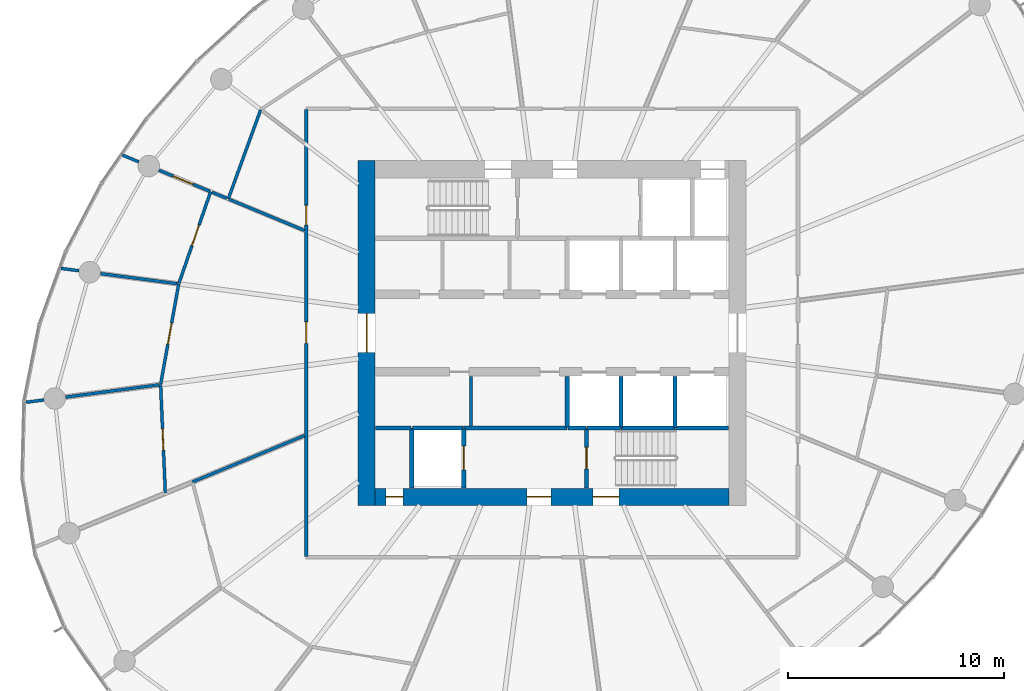
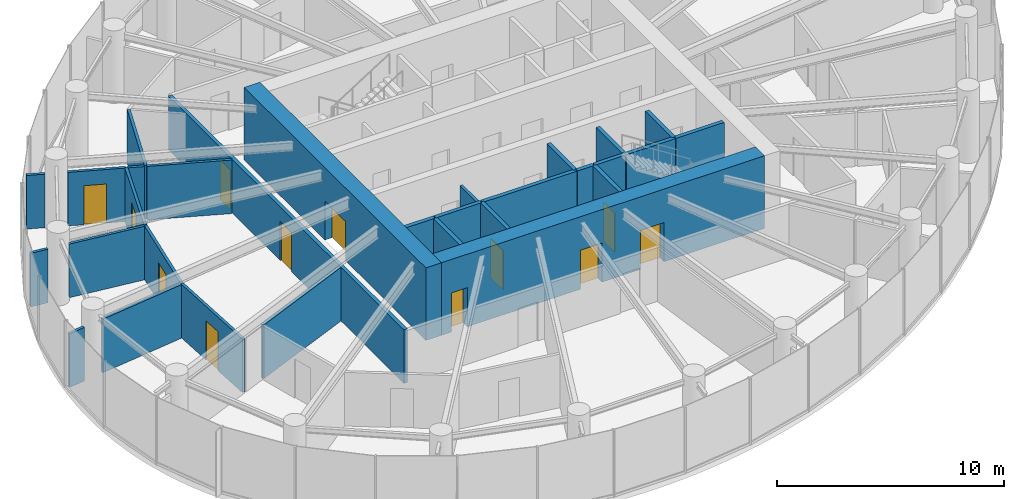
# One storey, part 9 of 15: 30 walls, 12 doors, 12 openings.
"""IFC4 building model written with IfcOpenShell, lengths in metres."""

from ifc_helpers import new_model, si_unit, direction, frame, frame_2d, origin, place, context, subcontext, project, spatial, rectangle, extrude, source, transform, mapped, material, layer, layer_set, type_object, element, fill, save


model = new_model("IFC4")

# Units and contexts
model_context = context("Model", 3, precision=1e-05, world=origin(), true_north=direction((0.0, 1.0)))
body_context = subcontext(model_context, "Body", "Model", "MODEL_VIEW")
ifc_project = project(units=[si_unit("LENGTHUNIT", "METRE"), si_unit("AREAUNIT", "SQUARE_METRE"), si_unit("VOLUMEUNIT", "CUBIC_METRE"), si_unit("PLANEANGLEUNIT", "RADIAN"), si_unit("MASSUNIT", "GRAM", prefix="KILO")], contexts=[model_context])

# Site, building, storey
site_placement = place(None, origin())
site = spatial("IfcSite", under=ifc_project, at=site_placement, CompositionType="ELEMENT")
building_placement = place(site_placement, origin())
building = spatial("IfcBuilding", under=site, at=building_placement, Name="Spindrift Exchange Tower", CompositionType="ELEMENT")
storey_placement = place(building_placement, frame((0.0, 0.0, 172.10009765625)))
storey = spatial("IfcBuildingStorey", under=building, at=storey_placement, Name="L41", CompositionType="ELEMENT", Elevation=172.10009765625)

# Wall, opening, door
ifc_material_1 = material(Name="Concrete 65 MPa", Category="concrete")
ifc_layer_1 = layer(ifc_material_1, 0.800048828125)
ifc_layer_set_1 = layer_set([ifc_layer_1], Name="RC Core Wall 800 Concrete 65 MPa")
wall_type_1 = type_object("IfcWallType", Name="RC Core Wall 800 Concrete 65 MPa", PredefinedType="SHEAR", material=ifc_layer_set_1)
wall_1_placement = place(storey_placement, frame((43.39990234375, 56.0, 0.0), z_axis=(0.0, 0.0, 1.0), x_axis=(0.0, -1.0, 0.0)))
wall_1 = element("IfcWall", 1, at=wall_1_placement, inside=storey, type_object=wall_type_1, Name="Core wall W L41", PredefinedType="SHEAR", context=body_context, shape_type="SweptSolid", body=[
    extrude(rectangle(XDim=16.0, YDim=0.800048828125, at=frame_2d((8.0, 0.0))), origin(), (0.0, 0.0, 1.0), 3.89990234375),
])
opening_1_placement = place(wall_1_placement, frame((7.10009765625, 0.0, 0.0)))
opening_1 = element("IfcOpeningElement", 2, at=opening_1_placement, cuts=wall_1, Name="Opening L41-D1", PredefinedType="OPENING", context=body_context, shape_type="SweptSolid", body=[
    extrude(rectangle(XDim=1.800048828125, YDim=2.10009765625, at=frame_2d((0.89990234375, 1.050048828125))), frame((0.0, 0.409912109375, 0.0), z_axis=(0.0, -1.0, 0.0), x_axis=(1.0, 0.0, 0.0)), (0.0, 0.0, 1.0), 0.820068359375),
])
ifc_material_2 = material(Name="Timber-core fire door", Category="wood")
door_type_1 = type_object("IfcDoorType", Name="DR-LOBBY-1800", OperationType="NOTDEFINED", PredefinedType="DOOR", material=ifc_material_2)
shared_shape_1 = source(origin(), body_context, "Body", "SweptSolid", [
    extrude(rectangle(XDim=1.800048828125, YDim=2.10009765625, at=frame_2d((0.89990234375, 1.050048828125))), frame((0.0, 0.02490234375, 0.0), z_axis=(0.0, -1.0, 0.0), x_axis=(1.0, 0.0, 0.0)), (0.0, 0.0, 1.0), 0.050048828125),
])
door_1_placement = place(opening_1_placement, origin())
door_1 = element("IfcDoor", 3, at=door_1_placement, inside=storey, type_object=door_type_1, Name="L41 Lobby door 1", OperationType="SINGLE_SWING_RIGHT", OverallHeight=2.10009765625, OverallWidth=1.800048828125, PredefinedType="DOOR", context=body_context, shape_type="MappedRepresentation", body=[
    mapped(shared_shape_1, transform((0.0, 0.0, 0.0), scale=1.0)),
])
fill(opening_1, door_1)

# Wall, openings, doors
wall_2_placement = place(storey_placement, frame((43.800048828125, 40.39990234375, 0.0), z_axis=(0.0, 0.0, 1.0), x_axis=(1.0, 0.0, 0.0)))
wall_2 = element("IfcWall", 4, at=wall_2_placement, inside=storey, type_object=wall_type_1, Name="Core wall S L41", PredefinedType="SHEAR", context=body_context, shape_type="SweptSolid", body=[
    extrude(rectangle(XDim=16.39990234375, YDim=0.800048828125, at=frame_2d((8.199951171875, 0.0))), origin(), (0.0, 0.0, 1.0), 3.89990234375),
])
opening_2_placement = place(wall_2_placement, frame((10.10009765625, 0.0, 0.0)))
opening_2 = element("IfcOpeningElement", 5, at=opening_2_placement, cuts=wall_2, Name="Opening L41-D15", PredefinedType="OPENING", context=body_context, shape_type="SweptSolid", body=[
    extrude(rectangle(XDim=1.199951171875, YDim=2.10009765625, at=frame_2d((0.60009765625, 1.050048828125))), frame((0.0, 0.409912109375, 0.0), z_axis=(0.0, -1.0, 0.0), x_axis=(1.0, 0.0, 0.0)), (0.0, 0.0, 1.0), 0.820068359375),
])
opening_3_placement = place(wall_2_placement, frame((7.050048828125, 0.0, 0.0)))
opening_3 = element("IfcOpeningElement", 6, at=opening_3_placement, cuts=wall_2, Name="Opening L41-D17", PredefinedType="OPENING", context=body_context, shape_type="SweptSolid", body=[
    extrude(rectangle(XDim=1.10009765625, YDim=2.10009765625, at=frame_2d((0.550048828125, 1.050048828125))), frame((0.0, 0.409912109375, 0.0), z_axis=(0.0, -1.0, 0.0), x_axis=(1.0, 0.0, 0.0)), (0.0, 0.0, 1.0), 0.820068359375),
])
opening_4_placement = place(wall_2_placement, frame((0.5, 0.0, 0.0)))
opening_4 = element("IfcOpeningElement", 7, at=opening_4_placement, cuts=wall_2, Name="Opening L41-D18", PredefinedType="OPENING", context=body_context, shape_type="SweptSolid", body=[
    extrude(rectangle(XDim=0.800048828125, YDim=2.10009765625, at=frame_2d((0.39990234375, 1.050048828125))), frame((0.0, 0.409912109375, 0.0), z_axis=(0.0, -1.0, 0.0), x_axis=(1.0, 0.0, 0.0)), (0.0, 0.0, 1.0), 0.820068359375),
])
ifc_material_3 = material(Name="Steel fire door", Category="steel")
door_type_2 = type_object("IfcDoorType", Name="DR-STAIR-1200", OperationType="NOTDEFINED", PredefinedType="DOOR", material=ifc_material_3)
shared_shape_2 = source(origin(), body_context, "Body", "SweptSolid", [
    extrude(rectangle(XDim=1.199951171875, YDim=2.10009765625, at=frame_2d((0.60009765625, 1.050048828125))), frame((0.0, 0.02490234375, 0.0), z_axis=(0.0, -1.0, 0.0), x_axis=(1.0, 0.0, 0.0)), (0.0, 0.0, 1.0), 0.050048828125),
])
door_2_placement = place(opening_2_placement, origin())
door_2 = element("IfcDoor", 8, at=door_2_placement, inside=storey, type_object=door_type_2, Name="L41 Stair door 15", OperationType="SINGLE_SWING_LEFT", OverallHeight=2.10009765625, OverallWidth=1.199951171875, PredefinedType="DOOR", context=body_context, shape_type="MappedRepresentation", body=[
    mapped(shared_shape_2, transform((0.0, 0.0, 0.0), scale=1.0)),
])
fill(opening_2, door_2)
door_type_3 = type_object("IfcDoorType", Name="DR-LOBBY-1100", OperationType="NOTDEFINED", PredefinedType="DOOR", material=ifc_material_2)
shared_shape_3 = source(origin(), body_context, "Body", "SweptSolid", [
    extrude(rectangle(XDim=1.10009765625, YDim=2.10009765625, at=frame_2d((0.550048828125, 1.050048828125))), frame((0.0, 0.02490234375, 0.0), z_axis=(0.0, -1.0, 0.0), x_axis=(1.0, 0.0, 0.0)), (0.0, 0.0, 1.0), 0.050048828125),
])
door_3_placement = place(opening_3_placement, origin())
door_3 = element("IfcDoor", 9, at=door_3_placement, inside=storey, type_object=door_type_3, Name="L41 Lobby door 17", OperationType="SINGLE_SWING_LEFT", OverallHeight=2.10009765625, OverallWidth=1.10009765625, PredefinedType="DOOR", context=body_context, shape_type="MappedRepresentation", body=[
    mapped(shared_shape_3, transform((0.0, 0.0, 0.0), scale=1.0)),
])
fill(opening_3, door_3)
ifc_material_4 = material(Name="Steel access door", Category="steel")
door_type_4 = type_object("IfcDoorType", Name="DR-RISER-800", OperationType="NOTDEFINED", PredefinedType="DOOR", material=ifc_material_4)
shared_shape_4 = source(origin(), body_context, "Body", "SweptSolid", [
    extrude(rectangle(XDim=0.800048828125, YDim=2.10009765625, at=frame_2d((0.39990234375, 1.050048828125))), frame((0.0, 0.02490234375, 0.0), z_axis=(0.0, -1.0, 0.0), x_axis=(1.0, 0.0, 0.0)), (0.0, 0.0, 1.0), 0.050048828125),
])
door_4_placement = place(opening_4_placement, origin())
door_4 = element("IfcDoor", 10, at=door_4_placement, inside=storey, type_object=door_type_4, Name="L41 Riser door 18", OperationType="SINGLE_SWING_RIGHT", OverallHeight=2.10009765625, OverallWidth=0.800048828125, PredefinedType="DOOR", context=body_context, shape_type="MappedRepresentation", body=[
    mapped(shared_shape_4, transform((0.0, 0.0, 0.0), scale=1.0)),
])
fill(opening_4, door_4)

ifc_material_5 = material(Name="Fire-rated plasterboard partition", Category="gypsum")
ifc_layer_2 = layer(ifc_material_5, 0.179931640625)
ifc_layer_set_2 = layer_set([ifc_layer_2], Name="W-CORR-180")
wall_type_2 = type_object("IfcWallType", Name="W-CORR-180", PredefinedType="PARTITIONING", material=ifc_layer_set_2)
wall_3_placement = place(storey_placement, frame((40.60009765625, 37.6298828125, 0.0), z_axis=(0.0, 0.0, 1.0), x_axis=(0.0, 1.0, 0.0)))
wall_3 = element("IfcWall", 11, at=wall_3_placement, inside=storey, type_object=wall_type_2, Name="L41 Partition wall 30", PredefinedType="PARTITIONING", context=body_context, shape_type="SweptSolid", body=[
    extrude(rectangle(XDim=20.740234375, YDim=0.179931640625, at=frame_2d((10.3701171875, 0.0))), origin(), (0.0, 0.0, 1.0), 2.8798828125),
])
opening_5_placement = place(wall_3_placement, frame((15.389892578125, 0.0, 0.0)))
opening_5 = element("IfcOpeningElement", 12, at=opening_5_placement, cuts=wall_3, Name="Opening L41-D20", PredefinedType="OPENING", context=body_context, shape_type="SweptSolid", body=[
    extrude(rectangle(XDim=0.89990234375, YDim=2.10009765625, at=frame_2d((0.449951171875, 1.050048828125))), frame((0.0, 0.099853515625, 0.0), z_axis=(0.0, -1.0, 0.0), x_axis=(1.0, 0.0, 0.0)), (0.0, 0.0, 1.0), 0.199951171875),
])
opening_6_placement = place(wall_3_placement, frame((9.889892578125, 0.0, 0.0)))
opening_6 = element("IfcOpeningElement", 13, at=opening_6_placement, cuts=wall_3, Name="Opening L41-D21", PredefinedType="OPENING", context=body_context, shape_type="SweptSolid", body=[
    extrude(rectangle(XDim=1.0, YDim=2.10009765625, at=frame_2d((0.5, 1.050048828125))), frame((0.0, 0.099853515625, 0.0), z_axis=(0.0, -1.0, 0.0), x_axis=(1.0, 0.0, 0.0)), (0.0, 0.0, 1.0), 0.199951171875),
])
door_type_5 = type_object("IfcDoorType", Name="DR-ROOM-1000", OperationType="NOTDEFINED", PredefinedType="DOOR", material=ifc_material_2)
shared_shape_5 = source(origin(), body_context, "Body", "SweptSolid", [
    extrude(rectangle(XDim=1.0, YDim=2.10009765625, at=frame_2d((0.5, 1.050048828125))), frame((0.0, 0.02490234375, 0.0), z_axis=(0.0, -1.0, 0.0), x_axis=(1.0, 0.0, 0.0)), (0.0, 0.0, 1.0), 0.050048828125),
])
door_5_placement = place(opening_6_placement, origin())
door_5 = element("IfcDoor", 14, at=door_5_placement, inside=storey, type_object=door_type_5, Name="L41 Door 21", OperationType="SINGLE_SWING_LEFT", OverallHeight=2.10009765625, OverallWidth=1.0, PredefinedType="DOOR", context=body_context, shape_type="MappedRepresentation", body=[
    mapped(shared_shape_5, transform((0.0, 0.0, 0.0), scale=1.0)),
])
fill(opening_6, door_5)
ifc_material_6 = material(Name="Laminate washroom door", Category="wood")
door_type_6 = type_object("IfcDoorType", Name="DR-WC-900", OperationType="NOTDEFINED", PredefinedType="DOOR", material=ifc_material_6)
shared_shape_6 = source(origin(), body_context, "Body", "SweptSolid", [
    extrude(rectangle(XDim=0.89990234375, YDim=2.10009765625, at=frame_2d((0.449951171875, 1.050048828125))), frame((0.0, 0.02490234375, 0.0), z_axis=(0.0, -1.0, 0.0), x_axis=(1.0, 0.0, 0.0)), (0.0, 0.0, 1.0), 0.050048828125),
])
door_6_placement = place(opening_5_placement, origin())
door_6 = element("IfcDoor", 15, at=door_6_placement, inside=storey, type_object=door_type_6, Name="L41 WC door 20", OperationType="SINGLE_SWING_RIGHT", OverallHeight=2.10009765625, OverallWidth=0.89990234375, PredefinedType="DOOR", context=body_context, shape_type="MappedRepresentation", body=[
    mapped(shared_shape_6, transform((0.0, 0.0, 0.0), scale=1.0)),
])
fill(opening_5, door_6)

# Wall
ifc_layer_3 = layer(ifc_material_5, 0.139892578125)
ifc_layer_set_3 = layer_set([ifc_layer_3], Name="W-PART-140")
wall_type_3 = type_object("IfcWallType", Name="W-PART-140", PredefinedType="PARTITIONING", material=ifc_layer_set_3)
wall_4_placement = place(storey_placement, frame((40.510009765625, 43.24072265625, 0.0), z_axis=(0.0, 0.0, 1.0), x_axis=(-0.923868925848, -0.382709038112, 0.0)))
element("IfcWall", 16, at=wall_4_placement, inside=storey, type_object=wall_type_3, Name="L41 Partition wall 37", PredefinedType="PARTITIONING", context=body_context, shape_type="SweptSolid", body=[
    extrude(rectangle(XDim=5.613037109375, YDim=0.139892578125, at=frame_2d((2.806640625, 0.0))), origin(), (0.0, 0.0, 1.0), 2.8798828125),
])

# Wall, opening, door
wall_5_placement = place(storey_placement, frame((34.06787109375, 40.572265625, 0.0), z_axis=(0.0, 0.0, 1.0), x_axis=(-0.043863726501, 0.999037523568, 0.0)))
wall_5 = element("IfcWall", 17, at=wall_5_placement, inside=storey, type_object=wall_type_3, Name="L41 Partition wall 43", PredefinedType="PARTITIONING", context=body_context, shape_type="SweptSolid", body=[
    extrude(rectangle(XDim=5.042724609375, YDim=0.139892578125, at=frame_2d((2.521484375, 0.0))), origin(), (0.0, 0.0, 1.0), 2.8798828125),
])
opening_7_placement = place(wall_5_placement, frame((1.99267578125, 0.0, 0.0)))
opening_7 = element("IfcOpeningElement", 18, at=opening_7_placement, cuts=wall_5, Name="Opening L41-D24", PredefinedType="OPENING", context=body_context, shape_type="SweptSolid", body=[
    extrude(rectangle(XDim=1.0, YDim=2.10009765625, at=frame_2d((0.5, 1.050048828125))), frame((0.0, 0.079833984375, 0.0), z_axis=(0.0, -1.0, 0.0), x_axis=(1.0, 0.0, 0.0)), (0.0, 0.0, 1.0), 0.159912109375),
])
door_7_placement = place(opening_7_placement, origin())
door_7 = element("IfcDoor", 19, at=door_7_placement, inside=storey, type_object=door_type_5, Name="L41 Door 24", OperationType="SINGLE_SWING_RIGHT", OverallHeight=2.10009765625, OverallWidth=1.0, PredefinedType="DOOR", context=body_context, shape_type="MappedRepresentation", body=[
    mapped(shared_shape_5, transform((0.0, 0.0, 0.0), scale=1.0)),
])
fill(opening_7, door_7)

wall_6_placement = place(storey_placement, frame((33.85205078125, 45.6396484375, 0.0), z_axis=(0.0, 0.0, 1.0), x_axis=(0.177167043884, 0.984180795668, 0.0)))
wall_6 = element("IfcWall", 20, at=wall_6_placement, inside=storey, type_object=wall_type_3, Name="L41 Partition wall 46", PredefinedType="PARTITIONING", context=body_context, shape_type="SweptSolid", body=[
    extrude(rectangle(XDim=4.714111328125, YDim=0.139892578125, at=frame_2d((2.35693359375, 0.0))), origin(), (0.0, 0.0, 1.0), 2.8798828125),
])
opening_8_placement = place(wall_6_placement, frame((1.8642578125, 0.0, 0.0)))
opening_8 = element("IfcOpeningElement", 21, at=opening_8_placement, cuts=wall_6, Name="Opening L41-D23", PredefinedType="OPENING", context=body_context, shape_type="SweptSolid", body=[
    extrude(rectangle(XDim=1.0, YDim=2.10009765625, at=frame_2d((0.5, 1.050048828125))), frame((0.0, 0.079833984375, 0.0), z_axis=(0.0, -1.0, 0.0), x_axis=(1.0, 0.0, 0.0)), (0.0, 0.0, 1.0), 0.159912109375),
])
door_8_placement = place(opening_8_placement, origin())
door_8 = element("IfcDoor", 22, at=door_8_placement, inside=storey, type_object=door_type_5, Name="L41 Door 23", OperationType="SINGLE_SWING_LEFT", OverallHeight=2.10009765625, OverallWidth=1.0, PredefinedType="DOOR", context=body_context, shape_type="MappedRepresentation", body=[
    mapped(shared_shape_5, transform((0.0, 0.0, 0.0), scale=1.0)),
])
fill(opening_8, door_8)

wall_7_placement = place(storey_placement, frame((34.697021484375, 50.3076171875, 0.0), z_axis=(0.0, 0.0, 1.0), x_axis=(0.327118021709, 0.944983491852, 0.0)))
wall_7 = element("IfcWall", 23, at=wall_7_placement, inside=storey, type_object=wall_type_3, Name="L41 Partition wall 49", PredefinedType="PARTITIONING", context=body_context, shape_type="SweptSolid", body=[
    extrude(rectangle(XDim=4.497314453125, YDim=0.139892578125, at=frame_2d((2.24853515625, 0.0))), origin(), (0.0, 0.0, 1.0), 2.8798828125),
])
opening_9_placement = place(wall_7_placement, frame((1.847412109375, 0.0, 0.0)))
opening_9 = element("IfcOpeningElement", 24, at=opening_9_placement, cuts=wall_7, Name="Opening L41-D22", PredefinedType="OPENING", context=body_context, shape_type="SweptSolid", body=[
    extrude(rectangle(XDim=1.0, YDim=2.10009765625, at=frame_2d((0.5, 1.050048828125))), frame((0.0, 0.079833984375, 0.0), z_axis=(0.0, -1.0, 0.0), x_axis=(1.0, 0.0, 0.0)), (0.0, 0.0, 1.0), 0.159912109375),
])
door_9_placement = place(opening_9_placement, origin())
door_9 = element("IfcDoor", 25, at=door_9_placement, inside=storey, type_object=door_type_5, Name="L41 Door 22", OperationType="SINGLE_SWING_RIGHT", OverallHeight=2.10009765625, OverallWidth=1.0, PredefinedType="DOOR", context=body_context, shape_type="MappedRepresentation", body=[
    mapped(shared_shape_5, transform((0.0, 0.0, 0.0), scale=1.0)),
])
fill(opening_9, door_9)

# Walls
wall_8_placement = place(storey_placement, frame((33.777099609375, 45.600830078125, 0.0), z_axis=(0.0, 0.0, 1.0), x_axis=(-0.991451067431, -0.130479043871, 0.0)))
element("IfcWall", 26, at=wall_8_placement, inside=storey, type_object=wall_type_3, Name="L41 Partition wall 53", PredefinedType="PARTITIONING", context=body_context, shape_type="SweptSolid", body=[
    extrude(rectangle(XDim=4.37646484375, YDim=0.139892578125, at=frame_2d((2.188232421875, 0.0))), origin(), (0.0, 0.0, 1.0), 2.8798828125),
])
wall_9_placement = place(storey_placement, frame((38.482177734375, 58.336669921875, 0.0), z_axis=(0.0, 0.0, 1.0), x_axis=(-0.341774383975, -0.939782033484, 0.0)))
element("IfcWall", 27, at=wall_9_placement, inside=storey, type_object=wall_type_3, Name="L41 Partition wall 55", PredefinedType="PARTITIONING", context=body_context, shape_type="SweptSolid", body=[
    extrude(rectangle(XDim=4.381103515625, YDim=0.139892578125, at=frame_2d((2.1904296875, 0.0))), origin(), (0.0, 0.0, 1.0), 2.8798828125),
])
wall_10_placement = place(storey_placement, frame((40.510009765625, 52.75927734375, 0.0), z_axis=(0.0, 0.0, 1.0), x_axis=(-0.923870623115, 0.382704940842, 0.0)))
element("IfcWall", 28, at=wall_10_placement, inside=storey, type_object=wall_type_3, Name="L41 Partition wall 64", PredefinedType="PARTITIONING", context=body_context, shape_type="SweptSolid", body=[
    extrude(rectangle(XDim=3.785400390625, YDim=0.139892578125, at=frame_2d((1.892578125, 0.0))), origin(), (0.0, 0.0, 1.0), 2.8798828125),
])
wall_11_placement = place(storey_placement, frame((34.617919921875, 50.288330078125, 0.0), z_axis=(0.0, 0.0, 1.0), x_axis=(-0.991445727945, 0.130519609791, 0.0)))
element("IfcWall", 29, at=wall_11_placement, inside=storey, type_object=wall_type_3, Name="L41 Partition wall 66", PredefinedType="PARTITIONING", context=body_context, shape_type="SweptSolid", body=[
    extrude(rectangle(XDim=3.589599609375, YDim=0.139892578125, at=frame_2d((1.794921875, 0.0))), origin(), (0.0, 0.0, 1.0), 2.8798828125),
])

# Wall, opening, door
wall_12_placement = place(storey_placement, frame((33.767333984375, 55.55224609375, 0.0), z_axis=(0.0, 0.0, 1.0), x_axis=(0.923865084747, -0.38271831049, 0.0)))
wall_12 = element("IfcWall", 30, at=wall_12_placement, inside=storey, type_object=wall_type_3, Name="L41 Partition wall 72", PredefinedType="PARTITIONING", context=body_context, shape_type="SweptSolid", body=[
    extrude(rectangle(XDim=2.56884765625, YDim=0.139892578125, at=frame_2d((1.284423828125, 0.0))), origin(), (0.0, 0.0, 1.0), 2.8798828125),
])
opening_10_placement = place(wall_12_placement, frame((0.718994140625, 0.0, 0.0)))
opening_10 = element("IfcOpeningElement", 31, at=opening_10_placement, cuts=wall_12, Name="Opening L41-D25", PredefinedType="OPENING", context=body_context, shape_type="SweptSolid", body=[
    extrude(rectangle(XDim=1.0, YDim=2.10009765625, at=frame_2d((0.5, 1.050048828125))), frame((0.0, 0.079833984375, 0.0), z_axis=(0.0, -1.0, 0.0), x_axis=(1.0, 0.0, 0.0)), (0.0, 0.0, 1.0), 0.159912109375),
])
door_10_placement = place(opening_10_placement, origin())
door_10 = element("IfcDoor", 32, at=door_10_placement, inside=storey, type_object=door_type_5, Name="L41 Door 25", OperationType="SINGLE_SWING_LEFT", OverallHeight=2.10009765625, OverallWidth=1.0, PredefinedType="DOOR", context=body_context, shape_type="MappedRepresentation", body=[
    mapped(shared_shape_5, transform((0.0, 0.0, 0.0), scale=1.0)),
])
fill(opening_10, door_10)

# Walls
wall_13_placement = place(storey_placement, frame((48.25, 43.699951171875, 0.0), z_axis=(0.0, 0.0, 1.0), x_axis=(0.0, 1.0, 0.0)))
element("IfcWall", 33, at=wall_13_placement, inside=storey, type_object=wall_type_3, Name="L41 Partition wall 74", PredefinedType="PARTITIONING", context=body_context, shape_type="SweptSolid", body=[
    extrude(rectangle(XDim=2.2900390625, YDim=0.139892578125, at=frame_2d((1.14501953125, 0.0))), origin(), (0.0, 0.0, 1.0), 2.8798828125),
])
wall_14_placement = place(storey_placement, frame((36.920166015625, 54.246337890625, 0.0), z_axis=(0.0, 0.0, 1.0), x_axis=(-0.923832744819, 0.382796368322, 0.0)))
element("IfcWall", 34, at=wall_14_placement, inside=storey, type_object=wall_type_3, Name="L41 Partition wall 88", PredefinedType="PARTITIONING", context=body_context, shape_type="SweptSolid", body=[
    extrude(rectangle(XDim=0.74365234375, YDim=0.139892578125, at=frame_2d((0.371826171875, 0.0))), origin(), (0.0, 0.0, 1.0), 2.8798828125),
])
wall_15_placement = place(storey_placement, frame((30.058837890625, 50.888671875, 0.0), z_axis=(0.0, 0.0, 1.0), x_axis=(-0.991453302112, 0.130462062421, 0.0)))
element("IfcWall", 35, at=wall_15_placement, inside=storey, type_object=wall_type_3, Name="L41 Partition wall 92", PredefinedType="PARTITIONING", context=body_context, shape_type="SweptSolid", body=[
    extrude(rectangle(XDim=0.83642578125, YDim=0.139892578125, at=frame_2d((0.418212890625, 0.0))), origin(), (0.0, 0.0, 1.0), 2.8798828125),
])
wall_16_placement = place(storey_placement, frame((28.43798828125, 44.89794921875, 0.0), z_axis=(0.0, 0.0, 1.0), x_axis=(-0.991444308748, -0.130530389761, 0.0)))
element("IfcWall", 36, at=wall_16_placement, inside=storey, type_object=wall_type_3, Name="L41 Partition wall 95", PredefinedType="PARTITIONING", context=body_context, shape_type="SweptSolid", body=[
    extrude(rectangle(XDim=0.832275390625, YDim=0.139892578125, at=frame_2d((0.416015625, 0.0))), origin(), (0.0, 0.0, 1.0), 2.8798828125),
])
wall_17_placement = place(storey_placement, frame((32.833984375, 55.938720703125, 0.0), z_axis=(0.0, 0.0, 1.0), x_axis=(-0.923798714545, 0.382878485951, 0.0)))
element("IfcWall", 37, at=wall_17_placement, inside=storey, type_object=wall_type_3, Name="L41 Partition wall 97", PredefinedType="PARTITIONING", context=body_context, shape_type="SweptSolid", body=[
    extrude(rectangle(XDim=0.81884765625, YDim=0.139892578125, at=frame_2d((0.409423828125, 0.0))), origin(), (0.0, 0.0, 1.0), 2.8798828125),
])
ifc_material_7 = material(Name="Concrete 40 MPa", Category="concrete")
ifc_layer_4 = layer(ifc_material_7, 0.199951171875)
ifc_layer_set_4 = layer_set([ifc_layer_4], Name="W-SHAFT-200")
wall_type_4 = type_object("IfcWallType", Name="W-SHAFT-200", PredefinedType="SOLIDWALL", material=ifc_layer_set_4)
wall_18_placement = place(storey_placement, frame((52.699951171875, 43.60009765625, 0.0), z_axis=(0.0, 0.0, 1.0), x_axis=(-1.0, 0.0, 0.0)))
element("IfcWall", 38, at=wall_18_placement, inside=storey, type_object=wall_type_4, Name="L41 Shaft wall 2", PredefinedType="SOLIDWALL", context=body_context, shape_type="SweptSolid", body=[
    extrude(rectangle(XDim=4.800048828125, YDim=0.199951171875, at=frame_2d((2.39990234375, 0.0))), origin(), (0.0, 0.0, 1.0), 3.579833984375),
])
wall_19_placement = place(storey_placement, frame((45.5, 43.60009765625, 0.0), z_axis=(0.0, 0.0, 1.0), x_axis=(0.0, -1.0, 0.0)))
element("IfcWall", 39, at=wall_19_placement, inside=storey, type_object=wall_type_4, Name="L41 Shaft wall 3", PredefinedType="SOLIDWALL", context=body_context, shape_type="SweptSolid", body=[
    extrude(rectangle(XDim=2.780029296875, YDim=0.199951171875, at=frame_2d((1.39013671875, 0.0))), origin(), (0.0, 0.0, 1.0), 3.579833984375),
])

# Wall, opening, door
wall_20_placement = place(storey_placement, frame((47.89990234375, 40.820068359375, 0.0), z_axis=(0.0, 0.0, 1.0), x_axis=(0.0, 1.0, 0.0)))
wall_20 = element("IfcWall", 40, at=wall_20_placement, inside=storey, type_object=wall_type_4, Name="L41 Shaft wall 4", PredefinedType="SOLIDWALL", context=body_context, shape_type="SweptSolid", body=[
    extrude(rectangle(XDim=2.75, YDim=0.199951171875, at=frame_2d((1.375, 0.0))), origin(), (0.0, 0.0, 1.0), 3.579833984375),
])
opening_11_placement = place(wall_20_placement, frame((0.830078125, 0.0, 0.0)))
opening_11 = element("IfcOpeningElement", 41, at=opening_11_placement, cuts=wall_20, Name="Opening L41-D10", PredefinedType="OPENING", context=body_context, shape_type="SweptSolid", body=[
    extrude(rectangle(XDim=1.10009765625, YDim=2.10009765625, at=frame_2d((0.550048828125, 1.050048828125))), frame((0.0, 0.10986328125, 0.0), z_axis=(0.0, -1.0, 0.0), x_axis=(1.0, 0.0, 0.0)), (0.0, 0.0, 1.0), 0.219970703125),
])
ifc_material_8 = material(Name="Stainless steel landing door", Category="steel")
door_type_7 = type_object("IfcDoorType", Name="DR-LANDING-1100-SL", OperationType="DOUBLE_DOOR_SLIDING", PredefinedType="USERDEFINED", material=ifc_material_8)
shared_shape_7 = source(origin(), body_context, "Body", "SweptSolid", [
    extrude(rectangle(XDim=1.10009765625, YDim=2.10009765625, at=frame_2d((0.550048828125, 1.050048828125))), frame((0.0, 0.02490234375, 0.0), z_axis=(0.0, -1.0, 0.0), x_axis=(1.0, 0.0, 0.0)), (0.0, 0.0, 1.0), 0.050048828125),
])
door_11_placement = place(opening_11_placement, origin())
door_11 = element("IfcDoor", 42, at=door_11_placement, inside=storey, type_object=door_type_7, Name="L41 Lift landing door 10", ObjectType="LANDING DOOR", OperationType="DOUBLE_DOOR_SLIDING", OverallHeight=2.10009765625, OverallWidth=1.10009765625, PredefinedType="USERDEFINED", context=body_context, shape_type="MappedRepresentation", body=[
    mapped(shared_shape_7, transform((0.0, 0.0, 0.0), scale=1.0)),
])
fill(opening_11, door_11)

# Walls
wall_21_placement = place(storey_placement, frame((47.8701171875, 43.60009765625, 0.0), z_axis=(0.0, 0.0, 1.0), x_axis=(-1.0, 0.0, 0.0)))
element("IfcWall", 43, at=wall_21_placement, inside=storey, type_object=wall_type_4, Name="L41 Shaft wall 12", PredefinedType="SOLIDWALL", context=body_context, shape_type="SweptSolid", body=[
    extrude(rectangle(XDim=2.340087890625, YDim=0.199951171875, at=frame_2d((1.169921875, 0.0))), origin(), (0.0, 0.0, 1.0), 3.579833984375),
])
wall_22_placement = place(storey_placement, frame((52.699951171875, 45.989990234375, 0.0), z_axis=(0.0, 0.0, 1.0), x_axis=(0.0, -1.0, 0.0)))
element("IfcWall", 44, at=wall_22_placement, inside=storey, type_object=wall_type_4, Name="L41 Shaft wall 13", PredefinedType="SOLIDWALL", context=body_context, shape_type="SweptSolid", body=[
    extrude(rectangle(XDim=2.360107421875, YDim=0.199951171875, at=frame_2d((1.18017578125, 0.0))), origin(), (0.0, 0.0, 1.0), 3.579833984375),
])
wall_23_placement = place(storey_placement, frame((45.469970703125, 43.60009765625, 0.0), z_axis=(0.0, 0.0, 1.0), x_axis=(-1.0, 0.0, 0.0)))
element("IfcWall", 45, at=wall_23_placement, inside=storey, type_object=wall_type_4, Name="L41 Shaft wall 20", PredefinedType="SOLIDWALL", context=body_context, shape_type="SweptSolid", body=[
    extrude(rectangle(XDim=1.64990234375, YDim=0.199951171875, at=frame_2d((0.824951171875, 0.0))), origin(), (0.0, 0.0, 1.0), 3.579833984375),
])

# Wall, opening, door
ifc_layer_5 = layer(ifc_material_7, 0.199951171875)
ifc_layer_set_5 = layer_set([ifc_layer_5], Name="W-SHAFT-200-LB")
wall_type_5 = type_object("IfcWallType", Name="W-SHAFT-200-LB", PredefinedType="SOLIDWALL", material=ifc_layer_set_5)
wall_24_placement = place(storey_placement, frame((53.60009765625, 43.60009765625, 0.0), z_axis=(0.0, 0.0, 1.0), x_axis=(0.0, -1.0, 0.0)))
wall_24 = element("IfcWall", 46, at=wall_24_placement, inside=storey, type_object=wall_type_5, Name="L41 Shaft wall 6", PredefinedType="SOLIDWALL", context=body_context, shape_type="SweptSolid", body=[
    extrude(rectangle(XDim=2.780029296875, YDim=0.199951171875, at=frame_2d((1.39013671875, 0.0))), origin(), (0.0, 0.0, 1.0), 3.579833984375),
])
opening_12_placement = place(wall_24_placement, frame((0.89990234375, 0.0, 0.0)))
opening_12 = element("IfcOpeningElement", 47, at=opening_12_placement, cuts=wall_24, Name="Opening L41-D16", PredefinedType="OPENING", context=body_context, shape_type="SweptSolid", body=[
    extrude(rectangle(XDim=1.0, YDim=2.10009765625, at=frame_2d((0.5, 1.050048828125))), frame((0.0, 0.10986328125, 0.0), z_axis=(0.0, -1.0, 0.0), x_axis=(1.0, 0.0, 0.0)), (0.0, 0.0, 1.0), 0.219970703125),
])
door_type_8 = type_object("IfcDoorType", Name="DR-STAIR-1000", OperationType="NOTDEFINED", PredefinedType="DOOR", material=ifc_material_3)
shared_shape_8 = source(origin(), body_context, "Body", "SweptSolid", [
    extrude(rectangle(XDim=1.0, YDim=2.10009765625, at=frame_2d((0.5, 1.050048828125))), frame((0.0, 0.02490234375, 0.0), z_axis=(0.0, -1.0, 0.0), x_axis=(1.0, 0.0, 0.0)), (0.0, 0.0, 1.0), 0.050048828125),
])
door_12_placement = place(opening_12_placement, origin())
door_12 = element("IfcDoor", 48, at=door_12_placement, inside=storey, type_object=door_type_8, Name="L41 Stair door 16", OperationType="SINGLE_SWING_RIGHT", OverallHeight=2.10009765625, OverallWidth=1.0, PredefinedType="DOOR", context=body_context, shape_type="MappedRepresentation", body=[
    mapped(shared_shape_8, transform((0.0, 0.0, 0.0), scale=1.0)),
])
fill(opening_12, door_12)

# Walls
wall_25_placement = place(storey_placement, frame((55.199951171875, 43.60009765625, 0.0), z_axis=(0.0, 0.0, 1.0), x_axis=(1.0, 0.0, 0.0)))
element("IfcWall", 49, at=wall_25_placement, inside=storey, type_object=wall_type_5, Name="L41 Shaft wall 10", PredefinedType="SOLIDWALL", context=body_context, shape_type="SweptSolid", body=[
    extrude(rectangle(XDim=2.5, YDim=0.199951171875, at=frame_2d((1.25, 0.0))), origin(), (0.0, 0.0, 1.0), 3.579833984375),
])
wall_26_placement = place(storey_placement, frame((57.72998046875, 43.60009765625, 0.0), z_axis=(0.0, 0.0, 1.0), x_axis=(1.0, 0.0, 0.0)))
element("IfcWall", 50, at=wall_26_placement, inside=storey, type_object=wall_type_5, Name="L41 Shaft wall 11", PredefinedType="SOLIDWALL", context=body_context, shape_type="SweptSolid", body=[
    extrude(rectangle(XDim=2.449951171875, YDim=0.199951171875, at=frame_2d((1.22509765625, 0.0))), origin(), (0.0, 0.0, 1.0), 3.579833984375),
])
for number, where, z_axis, x_axis, name in (
    (51, (55.199951171875, 43.6298828125, 0.0), (0.0, 0.0, 1.0), (0.0, 1.0, 0.0), "L41 Shaft wall 15"),
    (52, (57.699951171875, 43.6298828125, 0.0), (0.0, 0.0, 1.0), (0.0, 1.0, 0.0), "L41 Shaft wall 17"),
):
    element("IfcWall", number, at=place(storey_placement, frame(where, z_axis=z_axis, x_axis=x_axis)), inside=storey, type_object=wall_type_5, Name=name, PredefinedType="SOLIDWALL", context=body_context, shape_type="SweptSolid", body=[
        extrude(rectangle(XDim=2.360107421875, YDim=0.199951171875, at=frame_2d((1.18017578125, 0.0))), origin(), (0.0, 0.0, 1.0), 3.579833984375),
    ])
wall_27_placement = place(storey_placement, frame((53.6298828125, 43.60009765625, 0.0), z_axis=(0.0, 0.0, 1.0), x_axis=(1.0, 0.0, 0.0)))
element("IfcWall", 53, at=wall_27_placement, inside=storey, type_object=wall_type_5, Name="L41 Shaft wall 22", PredefinedType="SOLIDWALL", context=body_context, shape_type="SweptSolid", body=[
    extrude(rectangle(XDim=1.5400390625, YDim=0.199951171875, at=frame_2d((0.77001953125, 0.0))), origin(), (0.0, 0.0, 1.0), 3.579833984375),
])
wall_28_placement = place(storey_placement, frame((52.72998046875, 43.60009765625, 0.0), z_axis=(0.0, 0.0, 1.0), x_axis=(1.0, 0.0, 0.0)))
element("IfcWall", 54, at=wall_28_placement, inside=storey, type_object=wall_type_5, Name="L41 Shaft wall 24", PredefinedType="SOLIDWALL", context=body_context, shape_type="SweptSolid", body=[
    extrude(rectangle(XDim=0.840087890625, YDim=0.199951171875, at=frame_2d((0.419921875, 0.0))), origin(), (0.0, 0.0, 1.0), 3.579833984375),
])

save(model, "model.ifc")
